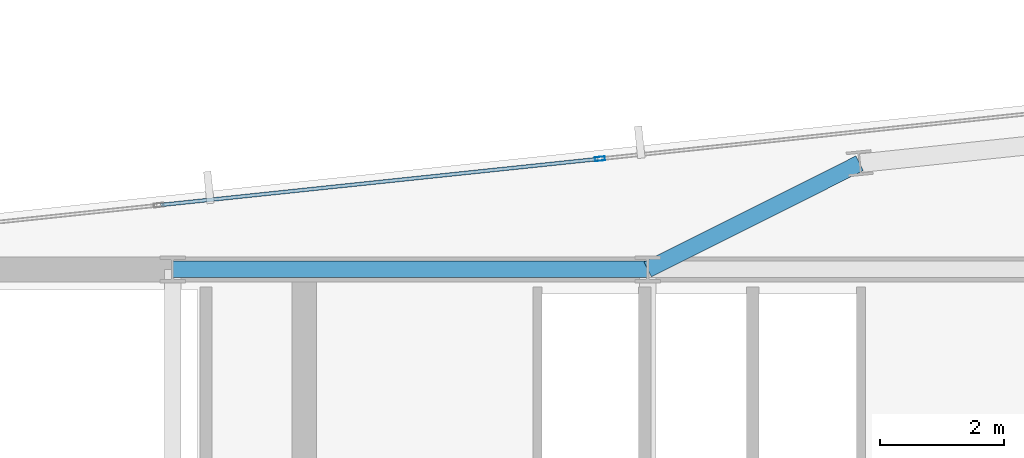
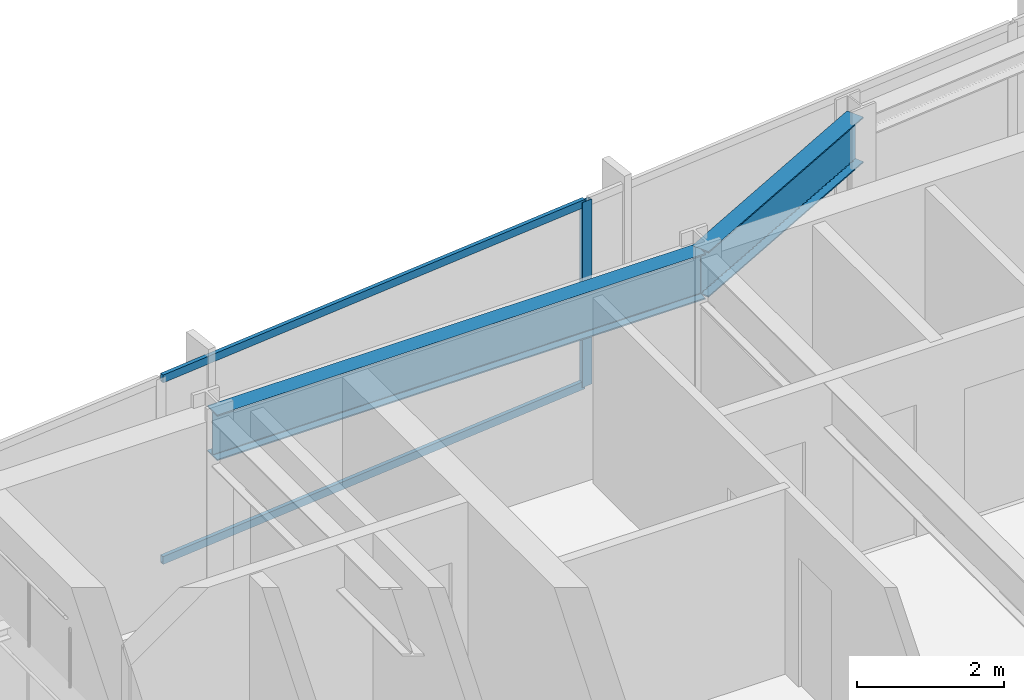
# One storey, part 21 of 33: 3 members, 2 beams, 1 element without a shape of its own.
"""IFC4 building model written with IfcOpenShell, lengths in metres."""

import ifcopenshell
import ifcopenshell.guid

model = None  # the IFC model being written
_history = None  # IfcOwnerHistory: only IFC2X3 demands one
_inside = {}  # id of a spatial element -> (the spatial element, [elements in it])
_under = {}  # id of a project, library or spatial element -> (it, [spatial elements below it])
_declared = {}  # id of a project -> (the project, [libraries it declares])
_typed = {}  # id of a type object -> (the type object, [elements of that type])
_made_of = {}  # id of a material, layer set ... -> (it, [elements and type objects made of it])


def new_model(schema):
    """Start an empty IFC model of exactly this schema.

    Asked for "IFC4X3", IfcOpenShell would pick the latest addendum, in which some entities
    have other attributes; the version numbers below select the first issue.
    IFC2X3 requires an IfcOwnerHistory on every rooted entity: one is made here for all.
    """
    global model, _history
    if schema == "IFC4X3":
        model = ifcopenshell.file(schema_version=(4, 3, 0, 0))
    else:
        model = ifcopenshell.file(schema=schema)
    _inside.clear()
    _under.clear()
    _declared.clear()
    _typed.clear()
    _made_of.clear()
    _history = None
    if model.schema == "IFC2X3":
        org = make("IfcOrganization", Name="unknown")
        user = make(
            "IfcPersonAndOrganization",
            ThePerson=make("IfcPerson", FamilyName="unknown"),
            TheOrganization=org,
        )
        app = make(
            "IfcApplication",
            ApplicationDeveloper=org,
            Version="unknown",
            ApplicationFullName="unknown",
            ApplicationIdentifier="unknown",
        )
        _history = make(
            "IfcOwnerHistory",
            OwningUser=user,
            OwningApplication=app,
            ChangeAction="ADDED",
            CreationDate=0,
        )
    return model


def make(cls, **values):
    """One entity of the class cls with the attributes given. An attribute that is None is left unset."""
    return model.create_entity(
        cls, **{name: value for name, value in values.items() if value is not None}
    )


def rooted(cls, **values):
    """An entity with a GlobalId (a new one), such as an element, a storey or a relation."""
    return make(cls, GlobalId=ifcopenshell.guid.new(), OwnerHistory=_history, **values)


def si_unit(unit_type, name, prefix=None):
    """IfcSIUnit, for example si_unit("LENGTHUNIT", "METRE", prefix="MILLI")."""
    return make("IfcSIUnit", UnitType=unit_type, Prefix=prefix, Name=name)


def assignment(units):
    """IfcUnitAssignment: the units of a project."""
    return None if units is None else make("IfcUnitAssignment", Units=units)


def point(xyz):
    """IfcCartesianPoint."""
    return None if xyz is None else make("IfcCartesianPoint", Coordinates=xyz)


def direction(xyz):
    """IfcDirection."""
    return None if xyz is None else make("IfcDirection", DirectionRatios=xyz)


def frame(location, z_axis=None, x_axis=None):
    """IfcAxis2Placement3D, a coordinate frame: its origin and axes. An axis left out is left unset."""
    return make(
        "IfcAxis2Placement3D",
        Location=point(location),
        Axis=direction(z_axis),
        RefDirection=direction(x_axis),
    )


def frame_2d(location, x_axis=None):
    """IfcAxis2Placement2D, a coordinate frame in the plane: its origin and x axis."""
    return make(
        "IfcAxis2Placement2D", Location=point(location), RefDirection=direction(x_axis)
    )


def origin():
    """The frame at (0, 0, 0) with its axes left unset."""
    return frame((0.0, 0.0, 0.0))


def origin_2d():
    """The frame at (0, 0) in the plane with its x axis left unset."""
    return frame_2d((0.0, 0.0))


def place(relative_to, where):
    """IfcLocalPlacement: puts the frame where relative to a parent placement (None: the world)."""
    return make(
        "IfcLocalPlacement", PlacementRelTo=relative_to, RelativePlacement=where
    )


def context(
    kind, dimensions, precision=None, world=None, true_north=None, identifier=None
):
    """IfcGeometricRepresentationContext, for example the 3D "Model" context."""
    return make(
        "IfcGeometricRepresentationContext",
        ContextIdentifier=identifier,
        ContextType=kind,
        CoordinateSpaceDimension=dimensions,
        Precision=precision,
        WorldCoordinateSystem=world,
        TrueNorth=true_north,
    )


def subcontext(parent, identifier, kind, view, scale=None):
    """IfcGeometricRepresentationSubContext, for example "Body" below "Model"."""
    return make(
        "IfcGeometricRepresentationSubContext",
        ContextIdentifier=identifier,
        ContextType=kind,
        ParentContext=parent,
        TargetScale=scale,
        TargetView=view,
    )


def project(units=None, contexts=None):
    """IfcProject with its units and contexts."""
    return rooted(
        "IfcProject",
        Name="project",
        RepresentationContexts=contexts,
        UnitsInContext=assignment(units),
    )


def spatial(cls, under=None, at=None, **own):
    """A site, building, storey or space (cls), placed at a placement, below another one or the project."""
    s = rooted(cls, ObjectPlacement=at, **own)
    if under is not None:
        _under.setdefault(under.id(), (under, []))[1].append(s)
    return s


def profile(cls, at=None, kind="AREA", **sizes):
    """A parametric profile (cls). Its sizes go by their IFC names, for example OverallWidth=200.0."""
    return make(cls, ProfileType=kind, Position=at, **sizes)


def hollow_rectangle(**sizes):
    """IfcRectangleHollowProfileDef."""
    return profile("IfcRectangleHollowProfileDef", **sizes)


def i_section(**sizes):
    """IfcIShapeProfileDef."""
    return profile("IfcIShapeProfileDef", **sizes)


def extrude(swept, where, along, depth):
    """IfcExtrudedAreaSolid: the profile swept, set in the frame where, extruded along a direction by depth."""
    return make(
        "IfcExtrudedAreaSolid",
        SweptArea=swept,
        Position=where,
        ExtrudedDirection=direction(along),
        Depth=depth,
    )


def shape(context_of_items, identifier, shape_type, items):
    """IfcShapeRepresentation: the items that make up one representation, for example the "Body"."""
    return make(
        "IfcShapeRepresentation",
        ContextOfItems=context_of_items,
        RepresentationIdentifier=identifier,
        RepresentationType=shape_type,
        Items=items,
    )


def material(Name=None, Category=None):
    """IfcMaterial."""
    return make("IfcMaterial", Name=Name, Category=Category)


def material_profile(
    of_material, cross_section, Name=None, Category=None, Priority=None
):
    """IfcMaterialProfile: a cross section and its material."""
    return make(
        "IfcMaterialProfile",
        Name=Name,
        Material=of_material,
        Profile=cross_section,
        Priority=Priority,
        Category=Category,
    )


def profile_set(profiles, Name=None, composite=None):
    """IfcMaterialProfileSet."""
    return make(
        "IfcMaterialProfileSet",
        Name=Name,
        MaterialProfiles=profiles,
        CompositeProfile=composite,
    )


def made_of(thing, what):
    """Note that an element or type object is made of a material, layer set ...; save() writes the relation."""
    if what is not None:
        _made_of.setdefault(what.id(), (what, []))[1].append(thing)
    return thing


def type_object(cls, material=None, **own):
    """A type object (cls), such as IfcWallType, which elements share."""
    return made_of(rooted(cls, **own), material)


def element(
    cls,
    number,
    at=None,
    inside=None,
    cuts=None,
    type_object=None,
    material=None,
    context=None,
    identifier="Body",
    shape_type=None,
    held_by="IfcProductDefinitionShape",
    body=None,
    shapes=None,
    **own,
):
    """One element of the class cls, such as IfcWall. Its Tag is "e" and its number.

    at: its placement. inside: the storey or other place that contains it. cuts: it is an
    opening in that element (IfcRelVoidsElement). A single representation is given by context,
    identifier, shape_type and body (its items); several are given by shapes. held_by: the class
    of the entity that holds the representations. save() writes the other relations.
    """
    e = rooted(cls, Tag="e%d" % number, ObjectPlacement=at, **own)
    if body is not None:
        shapes = [shape(context, identifier, shape_type, body)]
    if shapes is not None:
        e.Representation = make(held_by, Representations=shapes)
    if inside is not None:
        _inside.setdefault(inside.id(), (inside, []))[1].append(e)
    if cuts is not None:
        rooted(
            "IfcRelVoidsElement", RelatingBuildingElement=cuts, RelatedOpeningElement=e
        )
    if type_object is not None:
        _typed.setdefault(type_object.id(), (type_object, []))[1].append(e)
    return made_of(e, material)


def aggregate(whole, parts):
    """IfcRelAggregates: a whole, such as a stair, and the parts it consists of."""
    return rooted("IfcRelAggregates", RelatingObject=whole, RelatedObjects=parts)


def save(model, path):
    """Write the relations noted so far, then the file.

    IfcRelAggregates (storeys below a building ...), IfcRelContainedInSpatialStructure (elements
    in a storey), IfcRelDefinesByType, IfcRelAssociatesMaterial and IfcRelDeclares: one each for
    every whole, place, type object, material and project.
    """
    for whole, parts in _under.values():
        aggregate(whole, parts)
    for where, things in _inside.values():
        rooted(
            "IfcRelContainedInSpatialStructure",
            RelatedElements=things,
            RelatingStructure=where,
        )
    for kind, things in _typed.values():
        rooted("IfcRelDefinesByType", RelatedObjects=things, RelatingType=kind)
    for what, things in _made_of.values():
        rooted("IfcRelAssociatesMaterial", RelatedObjects=things, RelatingMaterial=what)
    for by, libraries in _declared.values():
        rooted("IfcRelDeclares", RelatingContext=by, RelatedDefinitions=libraries)
    model.write(path)


model = new_model("IFC4")

# Units and contexts
model_context = context("Model", 3, precision=1e-05, world=origin(), true_north=direction((0.0, 1.0)))
body_context = subcontext(model_context, "Body", "Model", "MODEL_VIEW")
ifc_project = project(units=[si_unit("LENGTHUNIT", "METRE"), si_unit("AREAUNIT", "SQUARE_METRE"), si_unit("VOLUMEUNIT", "CUBIC_METRE"), si_unit("PLANEANGLEUNIT", "RADIAN"), si_unit("MASSUNIT", "GRAM", prefix="KILO")], contexts=[model_context])

# Site, building, storey
site_placement = place(None, origin())
site = spatial("IfcSite", under=ifc_project, at=site_placement, CompositionType="ELEMENT")
building_placement = place(site_placement, origin())
building = spatial("IfcBuilding", under=site, at=building_placement, Name="Yelkora Congress Tower", CompositionType="ELEMENT")
storey_placement = place(building_placement, frame((0.0, 0.0, 237.5)))
storey = spatial("IfcBuildingStorey", under=building, at=storey_placement, Name="L66", CompositionType="ELEMENT", Elevation=237.5)

# Beams
ifc_material_1 = material(Name="Steel S355J2", Category="steel")
ifc_material_profile_1 = material_profile(ifc_material_1, i_section(OverallWidth=0.26708984375, OverallDepth=0.761962890625, WebThickness=0.014404296875, FlangeThickness=0.021484375, FilletRadius=0.01708984375, at=origin_2d()), Name="IPE 750x173")
ifc_profile_set_1 = profile_set([ifc_material_profile_1], Name="Steel S355J2")
beam_type = type_object("IfcBeamType", Name="BM-GIRD-IPE750", PredefinedType="BEAM", material=ifc_profile_set_1)
beam_1_placement = place(storey_placement, frame((30.719970703125, 46.199951171875, 2.698974609375), z_axis=(1.0, 0.0, 0.0), x_axis=(0.0, 1.0, 0.0)))
element("IfcBeam", 1, at=beam_1_placement, inside=storey, type_object=beam_type, Name="L66 Core North Girder 3", PredefinedType="BEAM", context=body_context, shape_type="SweptSolid", body=[
    extrude(i_section(OverallWidth=0.26708984375, OverallDepth=0.761962890625, WebThickness=0.014404296875, FlangeThickness=0.021484375, FilletRadius=0.01708984375, at=origin_2d()), origin(), (0.0, 0.0, 1.0), 7.679931640625),
])
beam_2_placement = place(storey_placement, frame((41.828125, 47.91748046875, 2.698974609375), z_axis=(-0.894070348256, -0.447926570288, 0.0), x_axis=(0.447926570288, -0.894070348256, 0.0)))
element("IfcBeam", 2, at=beam_2_placement, inside=storey, type_object=beam_type, Name="L66 Primary Frame Girder N04", PredefinedType="BEAM", context=body_context, shape_type="SweptSolid", body=[
    extrude(i_section(OverallWidth=0.26708984375, OverallDepth=0.761962890625, WebThickness=0.014404296875, FlangeThickness=0.021484375, FilletRadius=0.01708984375, at=origin_2d()), origin(), (0.0, 0.0, 1.0), 3.83447265625),
])

# Curtain wall, members
ifc_material_2 = material(Name="Anodised aluminium and insulated glass", Category="aluminium")
curtain_wall_type = type_object("IfcCurtainWallType", Name="CW-SYS-B4", PredefinedType="NOTDEFINED", material=ifc_material_2)
curtain_wall_placement = place(storey_placement, origin())
curtain_wall = element("IfcCurtainWall", 3, at=curtain_wall_placement, inside=storey, type_object=curtain_wall_type, Name="L66 Unitised Curtain Wall 10 (3)", PredefinedType="NOTDEFINED")
ifc_material_3 = material(Name="Anodised aluminium 6063-T6", Category="aluminium")
ifc_material_profile_2 = material_profile(ifc_material_3, hollow_rectangle(XDim=0.06494140625, YDim=0.159912109375, WallThickness=0.00390625, at=origin_2d()), Name="ALU 65x160x4")
ifc_profile_set_2 = profile_set([ifc_material_profile_2], Name="Anodised aluminium 6063-T6")
member_type_1 = type_object("IfcMemberType", Name="MEM-ML-B4", PredefinedType="MULLION", material=ifc_profile_set_2)
member_1_placement = place(storey_placement, frame((37.62744140625, 47.98876953125, 0.0), z_axis=(0.0, 0.0, 1.0), x_axis=(-0.104527724021, 0.994521973066, 0.0)))
member_1 = element("IfcMember", 4, at=member_1_placement, type_object=member_type_1, Name="CW-B4 mullion 3", PredefinedType="MULLION", context=body_context, shape_type="SweptSolid", body=[
    extrude(hollow_rectangle(XDim=0.06494140625, YDim=0.159912109375, WallThickness=0.00390625, at=origin_2d()), origin(), (0.0, 0.0, 1.0), 3.080078125),
])
ifc_material_profile_3 = material_profile(ifc_material_3, hollow_rectangle(XDim=0.06005859375, YDim=0.1298828125, WallThickness=0.00390625, at=origin_2d()), Name="ALU 60x130x4")
ifc_profile_set_3 = profile_set([ifc_material_profile_3], Name="Anodised aluminium 6063-T6")
member_type_2 = type_object("IfcMemberType", Name="MEM-TR-B4", PredefinedType="USERDEFINED", material=ifc_profile_set_3)
member_2_placement = place(storey_placement, frame((30.529052734375, 47.24267578125, 0.030029296875), z_axis=(0.99452200925, 0.104527379751, 0.0), x_axis=(-0.104527379751, 0.99452200925, 0.0)))
member_2 = element("IfcMember", 5, at=member_2_placement, type_object=member_type_2, Name="CW-B4 transom 2.1", ObjectType="TRANSOM", PredefinedType="USERDEFINED", context=body_context, shape_type="SweptSolid", body=[
    extrude(hollow_rectangle(XDim=0.06005859375, YDim=0.1298828125, WallThickness=0.00390625, at=origin_2d()), origin(), (0.0, 0.0, 1.0), 7.10498046875),
])
member_3_placement = place(storey_placement, frame((30.529052734375, 47.24267578125, 3.050048828125), z_axis=(0.99452200925, 0.104527379751, 0.0), x_axis=(-0.104527379751, 0.99452200925, 0.0)))
member_3 = element("IfcMember", 6, at=member_3_placement, type_object=member_type_2, Name="CW-B4 transom 2.2", ObjectType="TRANSOM", PredefinedType="USERDEFINED", context=body_context, shape_type="SweptSolid", body=[
    extrude(hollow_rectangle(XDim=0.06005859375, YDim=0.1298828125, WallThickness=0.00390625, at=origin_2d()), origin(), (0.0, 0.0, 1.0), 7.10498046875),
])
aggregate(curtain_wall, [member_1, member_2, member_3])

save(model, "model.ifc")
